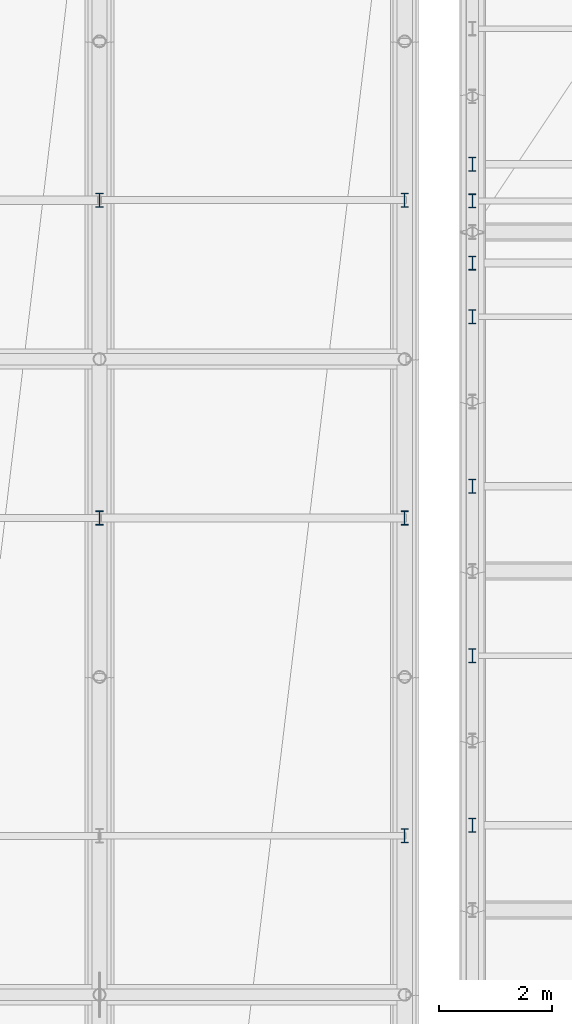
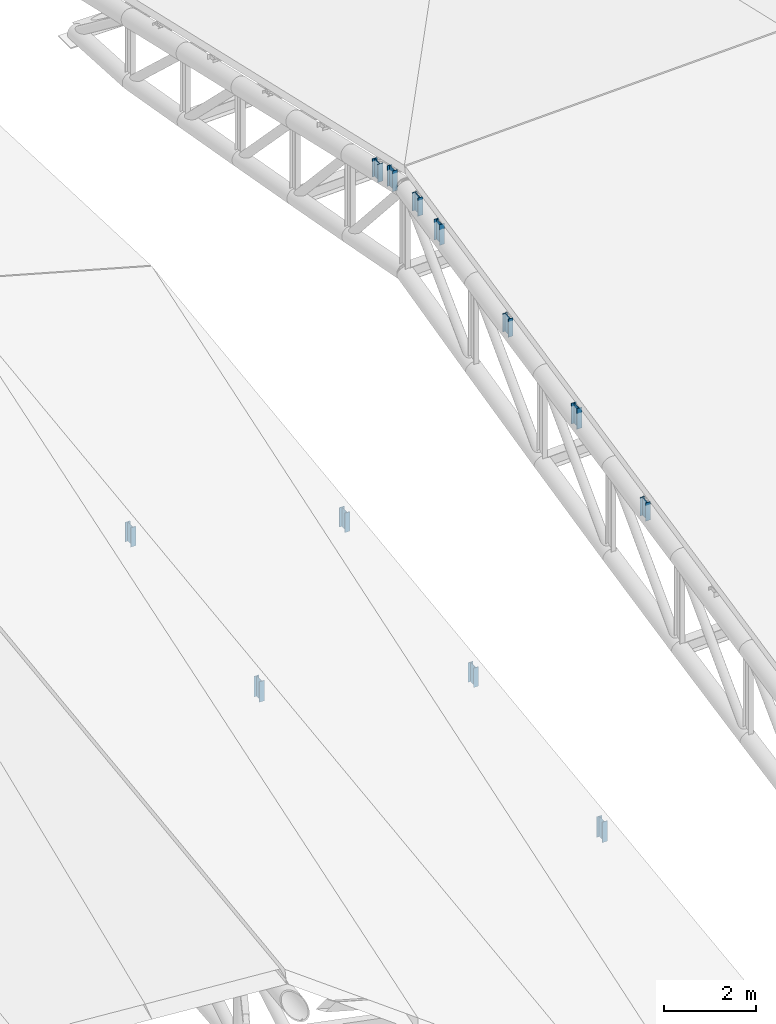
# One storey, part 86 of 109: 12 members.
"""IFC4 building model written with IfcOpenShell, lengths in metres."""

from ifc_helpers import new_model, si_unit, direction, frame, origin, origin_2d, place, context, subcontext, project, spatial, i_section, extrude, material, material_profile, profile_set, type_object, element, save


model = new_model("IFC4")

# Units and contexts
model_context = context("Model", 3, precision=1e-05, world=origin(), true_north=direction((0.0, 1.0)))
body_context = subcontext(model_context, "Body", "Model", "MODEL_VIEW")
ifc_project = project(units=[si_unit("LENGTHUNIT", "METRE"), si_unit("AREAUNIT", "SQUARE_METRE"), si_unit("VOLUMEUNIT", "CUBIC_METRE"), si_unit("PLANEANGLEUNIT", "RADIAN"), si_unit("MASSUNIT", "GRAM", prefix="KILO")], contexts=[model_context])

# Site, building, storey
site_placement = place(None, origin())
site = spatial("IfcSite", under=ifc_project, at=site_placement, CompositionType="ELEMENT")
building_placement = place(site_placement, origin())
building = spatial("IfcBuilding", under=site, at=building_placement, Name="Suirenkawa Promenade Aquatics Centre", CompositionType="ELEMENT")
storey_placement = place(building_placement, frame((0.0, 0.0, 22.800048828125)))
storey = spatial("IfcBuildingStorey", under=building, at=storey_placement, Name="ROOF", CompositionType="ELEMENT", Elevation=22.800048828125)

# Members
ifc_material = material(Name="Steel IS 2062 E350 (Grade 350)", Category="steel")
ifc_material_profile = material_profile(ifc_material, i_section(OverallWidth=0.125, OverallDepth=0.25, WebThickness=0.007080078125, FlangeThickness=0.012939453125, at=origin_2d()), Name="ISMB 250", Category="steel")
ifc_profile_set = profile_set([ifc_material_profile], Name="Steel IS 2062 E350 (Grade 350)")
member_type = type_object("IfcMemberType", Name="MT-WEB-CHS168", PredefinedType="BRACE", material=ifc_profile_set)
member_1_placement = place(storey_placement, frame((149.39990234375, 81.337890625, -9.73193359375), z_axis=(0.0, 0.0, 1.0), x_axis=(1.0, 0.0, 0.0)))
element("IfcMember", 1, at=member_1_placement, inside=storey, type_object=member_type, Name="ROOF TRUSS Purlin cleat post TD-03 MB-2348", PredefinedType="BRACE", context=body_context, shape_type="SweptSolid", body=[
    extrude(i_section(OverallWidth=0.125, OverallDepth=0.25, WebThickness=0.007080078125, FlangeThickness=0.012939453125, at=origin_2d()), origin(), (0.0, 0.0, 1.0), 0.5458984375),
])
member_2_placement = place(storey_placement, frame((149.39990234375, 86.962890625, -9.007080078125), z_axis=(0.0, 0.0, 1.0), x_axis=(1.0, 0.0, 0.0)))
element("IfcMember", 2, at=member_2_placement, inside=storey, type_object=member_type, Name="ROOF TRUSS Purlin cleat post TD-03 MB-2350", PredefinedType="BRACE", context=body_context, shape_type="SweptSolid", body=[
    extrude(i_section(OverallWidth=0.125, OverallDepth=0.25, WebThickness=0.007080078125, FlangeThickness=0.012939453125, at=origin_2d()), origin(), (0.0, 0.0, 1.0), 0.51904296875),
])
member_3_placement = place(storey_placement, frame((154.800048828125, 75.712890625, -11.95703125), z_axis=(0.0, 0.0, 1.0), x_axis=(1.0, 0.0, 0.0)))
element("IfcMember", 3, at=member_3_placement, inside=storey, type_object=member_type, Name="ROOF TRUSS Purlin cleat post TD-03 MB-2382", PredefinedType="BRACE", context=body_context, shape_type="SweptSolid", body=[
    extrude(i_section(OverallWidth=0.125, OverallDepth=0.25, WebThickness=0.007080078125, FlangeThickness=0.012939453125, at=origin_2d()), origin(), (0.0, 0.0, 1.0), 0.5458984375),
])
member_4_placement = place(storey_placement, frame((154.800048828125, 81.337890625, -11.23193359375), z_axis=(0.0, 0.0, 1.0), x_axis=(1.0, 0.0, 0.0)))
element("IfcMember", 4, at=member_4_placement, inside=storey, type_object=member_type, Name="ROOF TRUSS Purlin cleat post TD-03 MB-2384", PredefinedType="BRACE", context=body_context, shape_type="SweptSolid", body=[
    extrude(i_section(OverallWidth=0.125, OverallDepth=0.25, WebThickness=0.007080078125, FlangeThickness=0.012939453125, at=origin_2d()), origin(), (0.0, 0.0, 1.0), 0.518798828125),
])
member_5_placement = place(storey_placement, frame((154.800048828125, 86.962890625, -10.507080078125), z_axis=(0.0, 0.0, 1.0), x_axis=(1.0, 0.0, 0.0)))
element("IfcMember", 5, at=member_5_placement, inside=storey, type_object=member_type, Name="ROOF TRUSS Purlin cleat post TD-03 MB-2386", PredefinedType="BRACE", context=body_context, shape_type="SweptSolid", body=[
    extrude(i_section(OverallWidth=0.125, OverallDepth=0.25, WebThickness=0.007080078125, FlangeThickness=0.012939453125, at=origin_2d()), origin(), (0.0, 0.0, 1.0), 0.52001953125),
])
member_6_placement = place(storey_placement, frame((156.0, 75.89990234375, -3.9169921875), z_axis=(0.0, 0.0, 1.0), x_axis=(1.0, 0.0, 0.0)))
element("IfcMember", 6, at=member_6_placement, inside=storey, type_object=member_type, Name="ROOF TRUSS Purlin cleat post TD-03 MB-2435", PredefinedType="BRACE", context=body_context, shape_type="SweptSolid", body=[
    extrude(i_section(OverallWidth=0.125, OverallDepth=0.25, WebThickness=0.007080078125, FlangeThickness=0.012939453125, at=origin_2d()), origin(), (0.0, 0.0, 1.0), 0.487060546875),
])
member_7_placement = place(storey_placement, frame((156.0, 78.89990234375, -3.282958984375), z_axis=(0.0, 0.0, 1.0), x_axis=(1.0, 0.0, 0.0)))
element("IfcMember", 7, at=member_7_placement, inside=storey, type_object=member_type, Name="ROOF TRUSS Purlin cleat post TD-03 MB-2438", PredefinedType="BRACE", context=body_context, shape_type="SweptSolid", body=[
    extrude(i_section(OverallWidth=0.125, OverallDepth=0.25, WebThickness=0.007080078125, FlangeThickness=0.012939453125, at=origin_2d()), origin(), (0.0, 0.0, 1.0), 0.5498046875),
])
member_8_placement = place(storey_placement, frame((156.0, 81.89990234375, -2.650146484375), z_axis=(0.0, 0.0, 1.0), x_axis=(1.0, 0.0, 0.0)))
element("IfcMember", 8, at=member_8_placement, inside=storey, type_object=member_type, Name="ROOF TRUSS Purlin cleat post TD-03 MB-2441", PredefinedType="BRACE", context=body_context, shape_type="SweptSolid", body=[
    extrude(i_section(OverallWidth=0.125, OverallDepth=0.25, WebThickness=0.007080078125, FlangeThickness=0.012939453125, at=origin_2d()), origin(), (0.0, 0.0, 1.0), 0.486083984375),
])
member_9_placement = place(storey_placement, frame((156.0, 84.89990234375, -2.01708984375), z_axis=(0.0, 0.0, 1.0), x_axis=(1.0, 0.0, 0.0)))
element("IfcMember", 9, at=member_9_placement, inside=storey, type_object=member_type, Name="ROOF TRUSS Purlin cleat post TD-03 MB-2444", PredefinedType="BRACE", context=body_context, shape_type="SweptSolid", body=[
    extrude(i_section(OverallWidth=0.125, OverallDepth=0.25, WebThickness=0.007080078125, FlangeThickness=0.012939453125, at=origin_2d()), origin(), (0.0, 0.0, 1.0), 0.551025390625),
])
member_10_placement = place(storey_placement, frame((156.0, 85.85009765625, -1.816162109375), z_axis=(0.0, 0.0, 1.0), x_axis=(1.0, 0.0, 0.0)))
element("IfcMember", 10, at=member_10_placement, inside=storey, type_object=member_type, Name="ROOF TRUSS Purlin cleat post TD-03 MB-2447", PredefinedType="BRACE", context=body_context, shape_type="SweptSolid", body=[
    extrude(i_section(OverallWidth=0.125, OverallDepth=0.25, WebThickness=0.007080078125, FlangeThickness=0.012939453125, at=origin_2d()), origin(), (0.0, 0.0, 1.0), 0.486083984375),
])
member_11_placement = place(storey_placement, frame((156.0, 86.949951171875, -1.825927734375), z_axis=(0.0, 0.0, 1.0), x_axis=(1.0, 0.0, 0.0)))
element("IfcMember", 11, at=member_11_placement, inside=storey, type_object=member_type, Name="ROOF TRUSS Purlin cleat post TD-03 MB-2450", PredefinedType="BRACE", context=body_context, shape_type="SweptSolid", body=[
    extrude(i_section(OverallWidth=0.125, OverallDepth=0.25, WebThickness=0.007080078125, FlangeThickness=0.012939453125, at=origin_2d()), origin(), (0.0, 0.0, 1.0), 0.548828125),
])
member_12_placement = place(storey_placement, frame((156.0, 87.60009765625, -1.97509765625), z_axis=(0.0, 0.0, 1.0), x_axis=(1.0, 0.0, 0.0)))
element("IfcMember", 12, at=member_12_placement, inside=storey, type_object=member_type, Name="ROOF TRUSS Purlin cleat post TD-03 MB-2453", PredefinedType="BRACE", context=body_context, shape_type="SweptSolid", body=[
    extrude(i_section(OverallWidth=0.125, OverallDepth=0.25, WebThickness=0.007080078125, FlangeThickness=0.012939453125, at=origin_2d()), origin(), (0.0, 0.0, 1.0), 0.484130859375),
])

save(model, "model.ifc")
